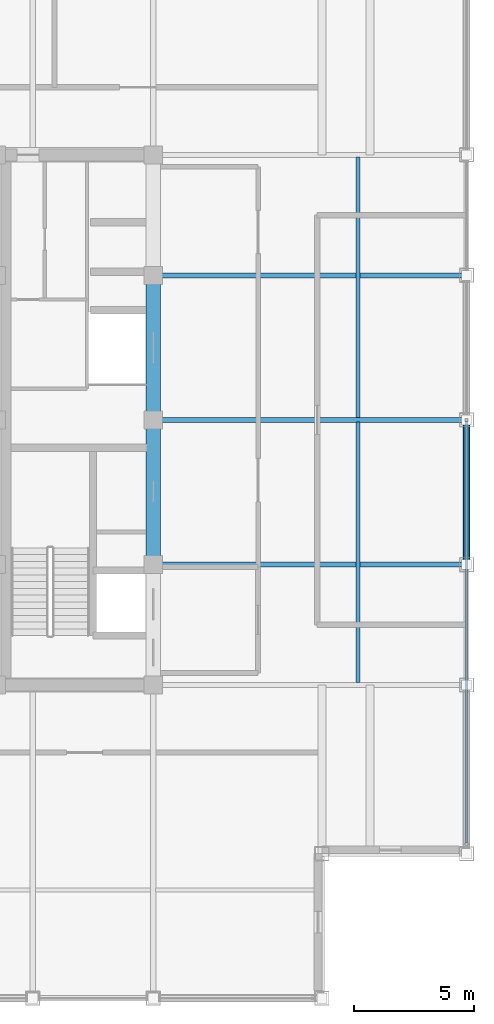
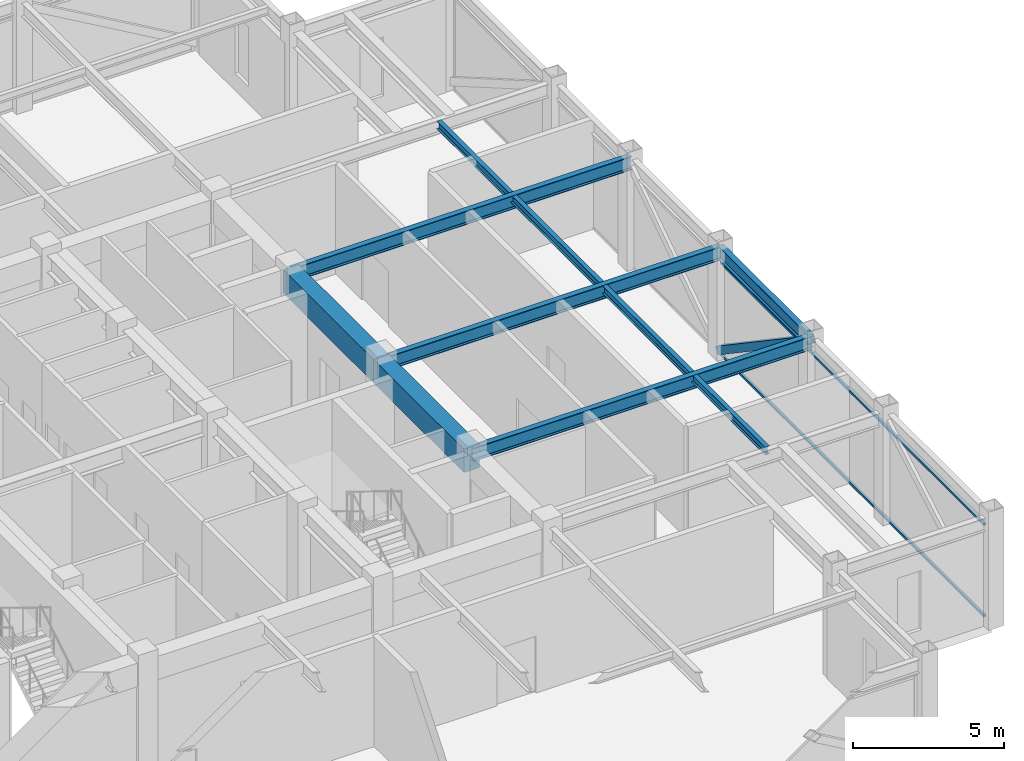
# One storey, part 11 of 27: 8 beams, 3 members, 1 element without a shape of its own.
"""IFC4 building model written with IfcOpenShell, lengths in metres."""

from ifc_helpers import new_model, si_unit, direction, frame, origin, origin_2d, place, context, subcontext, project, spatial, rectangle, hollow_rectangle, i_section, extrude, source, transform, mapped, material, material_profile, profile_set, type_object, element, aggregate, save


model = new_model("IFC4")

# Units and contexts
model_context = context("Model", 3, precision=1e-05, world=origin(), true_north=direction((0.0, 1.0)))
body_context = subcontext(model_context, "Body", "Model", "MODEL_VIEW")
ifc_project = project(units=[si_unit("LENGTHUNIT", "METRE"), si_unit("AREAUNIT", "SQUARE_METRE"), si_unit("VOLUMEUNIT", "CUBIC_METRE"), si_unit("PLANEANGLEUNIT", "RADIAN"), si_unit("MASSUNIT", "GRAM", prefix="KILO")], contexts=[model_context])

# Site, building, storey
site_placement = place(None, origin())
site = spatial("IfcSite", under=ifc_project, at=site_placement, CompositionType="ELEMENT")
building_placement = place(site_placement, origin())
building = spatial("IfcBuilding", under=site, at=building_placement, Name="Khorayat Bourse Tower", CompositionType="ELEMENT")
storey_placement = place(building_placement, frame((0.0, 0.0, 394.699951171875)))
storey = spatial("IfcBuildingStorey", under=building, at=storey_placement, Name="L93", CompositionType="ELEMENT", Elevation=394.699951171875)

# Beams
ifc_material_1 = material(Name="Concrete C60/75", Category="concrete")
ifc_material_profile_1 = material_profile(ifc_material_1, rectangle(XDim=0.60009765625, YDim=0.949951171875, at=origin_2d()), Name="RC 600x950")
ifc_profile_set_1 = profile_set([ifc_material_profile_1], Name="Concrete C60/75")
beam_type_1 = type_object("IfcBeamType", Name="BM-COUP-950", PredefinedType="BEAM", material=ifc_profile_set_1)
shared_shape_1 = source(origin(), body_context, "Body", "SweptSolid", [
    extrude(rectangle(XDim=0.60009765625, YDim=0.949951171875, at=origin_2d()), origin(), (0.0, 0.0, 1.0), 6.0),
])
for number, where, z_axis, x_axis, name in (
    (1, (11.0, -6.0, 3.97509765625), (0.0, 1.0, 0.0), (-1.0, 0.0, 0.0), "L93 BM-COUP-950 BM-L93-CRX-14"),
    (2, (11.0, 0.0, 3.97509765625), (0.0, 1.0, 0.0), (-1.0, 0.0, 0.0), "L93 BM-COUP-950 BM-L93-CRX-15"),
):
    element("IfcBeam", number, at=place(storey_placement, frame(where, z_axis=z_axis, x_axis=x_axis)), inside=storey, type_object=beam_type_1, Name=name, PredefinedType="BEAM", context=body_context, shape_type="MappedRepresentation", body=[
        mapped(shared_shape_1, transform((0.0, 0.0, 0.0), scale=1.0)),
    ])
ifc_material_2 = material(Name="Steel ASTM A992 Grade 50", Category="steel")
ifc_material_profile_2 = material_profile(ifc_material_2, i_section(OverallWidth=0.214111328125, OverallDepth=0.549072265625, WebThickness=0.0146484375, FlangeThickness=0.023681640625, FilletRadius=0.013916015625, at=origin_2d()), Name="W530X138")
ifc_profile_set_2 = profile_set([ifc_material_profile_2], Name="Steel ASTM A992 Grade 50")
beam_type_2 = type_object("IfcBeamType", Name="BM-SPAN-530", PredefinedType="SPANDREL", material=ifc_profile_set_2)
shared_shape_2 = source(origin(), body_context, "Body", "SweptSolid", [
    extrude(i_section(OverallWidth=0.214111328125, OverallDepth=0.549072265625, WebThickness=0.0146484375, FlangeThickness=0.023681640625, FilletRadius=0.013916015625, at=origin_2d()), origin(), (0.0, 0.0, 1.0), 6.0),
])
beam_placement = place(storey_placement, frame((24.0, -6.0, 4.175537109375), z_axis=(0.0, 1.0, 0.0), x_axis=(-1.0, 0.0, 0.0)))
element("IfcBeam", 3, at=beam_placement, inside=storey, type_object=beam_type_2, Name="L93 BM-SPAN-530 BM-L93-SPN-034", PredefinedType="SPANDREL", context=body_context, shape_type="MappedRepresentation", body=[
    mapped(shared_shape_2, transform((0.0, 0.0, 0.0), scale=1.0)),
])
ifc_material_profile_3 = material_profile(ifc_material_2, i_section(OverallWidth=0.214111328125, OverallDepth=0.549072265625, WebThickness=0.0146484375, FlangeThickness=0.023681640625, FilletRadius=0.013916015625, at=origin_2d()), Name="W530X138")
ifc_profile_set_3 = profile_set([ifc_material_profile_3], Name="Steel ASTM A992 Grade 50")
beam_type_3 = type_object("IfcBeamType", Name="BM-GIRD-530", PredefinedType="BEAM", material=ifc_profile_set_3)
shared_shape_3 = source(origin(), body_context, "Body", "SweptSolid", [
    extrude(i_section(OverallWidth=0.214111328125, OverallDepth=0.549072265625, WebThickness=0.0146484375, FlangeThickness=0.023681640625, FilletRadius=0.013916015625, at=origin_2d()), origin(), (0.0, 0.0, 1.0), 13.0),
])
for number, where, z_axis, x_axis, name in (
    (4, (11.0, -6.0, 4.175537109375), (1.0, 0.0, 0.0), (0.0, 1.0, 0.0), "L93 BM-GIRD-530 BM-L93-RADX-068"),
    (5, (11.0, 0.0, 4.175537109375), (1.0, 0.0, 0.0), (0.0, 1.0, 0.0), "L93 BM-GIRD-530 BM-L93-RADX-070"),
    (6, (11.0, 6.0, 4.175537109375), (1.0, 0.0, 0.0), (0.0, 1.0, 0.0), "L93 BM-GIRD-530 BM-L93-RADX-072"),
):
    element("IfcBeam", number, at=place(storey_placement, frame(where, z_axis=z_axis, x_axis=x_axis)), inside=storey, type_object=beam_type_3, Name=name, PredefinedType="BEAM", context=body_context, shape_type="MappedRepresentation", body=[
        mapped(shared_shape_3, transform((0.0, 0.0, 0.0), scale=1.0)),
    ])
ifc_material_profile_4 = material_profile(ifc_material_2, i_section(OverallWidth=0.1669921875, OverallDepth=0.31689453125, WebThickness=0.007568359375, FlangeThickness=0.01318359375, FilletRadius=0.010009765625, at=origin_2d()), Name="W310X52")
ifc_profile_set_4 = profile_set([ifc_material_profile_4], Name="Steel ASTM A992 Grade 50")
beam_type_4 = type_object("IfcBeamType", Name="BM-JOIST-310", PredefinedType="JOIST", material=ifc_profile_set_4)
shared_shape_4 = source(origin(), body_context, "Body", "SweptSolid", [
    extrude(i_section(OverallWidth=0.1669921875, OverallDepth=0.31689453125, WebThickness=0.007568359375, FlangeThickness=0.01318359375, FilletRadius=0.010009765625, at=origin_2d()), origin(), (0.0, 0.0, 1.0), 10.81005859375),
])
for number, where, z_axis, x_axis, name in (
    (7, (19.5, -10.905029296875, 4.29150390625), (0.0, 1.0, 0.0), (-1.0, 0.0, 0.0), "L93 BM-JOIST-310 BM-L93-JSTY-092"),
    (8, (19.5, 0.094970703125, 4.29150390625), (0.0, 1.0, 0.0), (-1.0, 0.0, 0.0), "L93 BM-JOIST-310 BM-L93-JSTY-093"),
):
    element("IfcBeam", number, at=place(storey_placement, frame(where, z_axis=z_axis, x_axis=x_axis)), inside=storey, type_object=beam_type_4, Name=name, PredefinedType="JOIST", context=body_context, shape_type="MappedRepresentation", body=[
        mapped(shared_shape_4, transform((0.0, 0.0, 0.0), scale=1.0)),
    ])

# Member
ifc_material_3 = material(Name="Steel EN 10025-2 S355J2", Category="steel")
ifc_material_profile_5 = material_profile(ifc_material_3, hollow_rectangle(XDim=0.300048828125, YDim=0.300048828125, WallThickness=0.01611328125, at=origin_2d()), Name="HSS 300x300x16")
ifc_profile_set_5 = profile_set([ifc_material_profile_5], Name="Steel EN 10025-2 S355J2")
member_type_1 = type_object("IfcMemberType", Name="MBR-CROWN-300", PredefinedType="USERDEFINED", material=ifc_profile_set_5)
shared_shape_5 = source(origin(), body_context, "Body", "SweptSolid", [
    extrude(hollow_rectangle(XDim=0.300048828125, YDim=0.300048828125, WallThickness=0.01611328125, at=origin_2d()), origin(), (0.0, 0.0, 1.0), 7.239013671875),
])
member_1_placement = place(storey_placement, frame((24.0, -6.0, 4.25), z_axis=(0.0, 0.828845546207, -0.559477488852), x_axis=(-1.0, 0.0, 0.0)))
element("IfcMember", 9, at=member_1_placement, inside=storey, type_object=member_type_1, Name="L93 Lantern Crown Frame Member 14", ObjectType="CROWN FRAME", PredefinedType="USERDEFINED", context=body_context, shape_type="MappedRepresentation", body=[
    mapped(shared_shape_5, transform((0.0, 0.0, 0.0), scale=1.0)),
])

# Curtain wall, members
ifc_material_4 = material(Name="Aluminium EN AW-6063 T6", Category="aluminium")
curtain_wall_type = type_object("IfcCurtainWallType", Name="CW-SYS-07", PredefinedType="NOTDEFINED", material=ifc_material_4)
curtain_wall_placement = place(storey_placement, origin())
curtain_wall = element("IfcCurtainWall", 10, at=curtain_wall_placement, inside=storey, type_object=curtain_wall_type, Name="L93 Curtain Wall CW-L93-E1", PredefinedType="NOTDEFINED")
ifc_material_profile_6 = material_profile(ifc_material_4, hollow_rectangle(XDim=0.090087890625, YDim=0.090087890625, WallThickness=0.00390625, at=origin_2d()), Name="ALU 90x90x4")
ifc_profile_set_6 = profile_set([ifc_material_profile_6], Name="Aluminium EN AW-6063 T6")
member_type_2 = type_object("IfcMemberType", Name="CWT-HORZ-90", PredefinedType="USERDEFINED", material=ifc_profile_set_6)
shared_shape_6 = source(origin(), body_context, "Body", "SweptSolid", [
    extrude(hollow_rectangle(XDim=0.090087890625, YDim=0.090087890625, WallThickness=0.00390625, at=origin_2d()), origin(), (0.0, 0.0, 1.0), 17.5),
])
member_2_placement = place(storey_placement, frame((24.0, -17.550048828125, 0.045166015625), z_axis=(0.0, 1.0, 0.0), x_axis=(-1.0, 0.0, 0.0)))
member_2 = element("IfcMember", 11, at=member_2_placement, type_object=member_type_2, Name="CW-L93-E1 Horizontal Transom 1-1", ObjectType="TRANSOM", PredefinedType="USERDEFINED", context=body_context, shape_type="MappedRepresentation", body=[
    mapped(shared_shape_6, transform((0.0, 0.0, 0.0), scale=1.0)),
])
member_3_placement = place(storey_placement, frame((24.0, -17.550048828125, 3.755126953125), z_axis=(0.0, 1.0, 0.0), x_axis=(-1.0, 0.0, 0.0)))
member_3 = element("IfcMember", 12, at=member_3_placement, type_object=member_type_2, Name="CW-L93-E1 Horizontal Transom 1-2", ObjectType="TRANSOM", PredefinedType="USERDEFINED", context=body_context, shape_type="MappedRepresentation", body=[
    mapped(shared_shape_6, transform((0.0, 0.0, 0.0), scale=1.0)),
])
aggregate(curtain_wall, [member_2, member_3])

save(model, "model.ifc")
